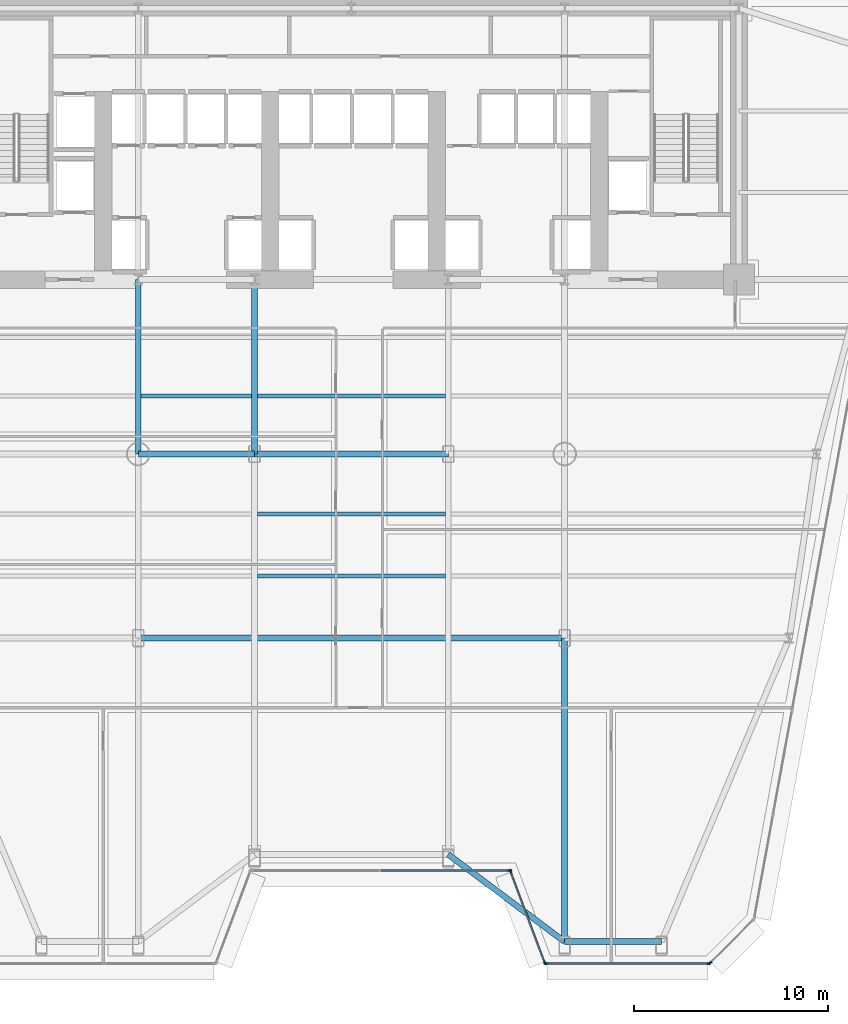
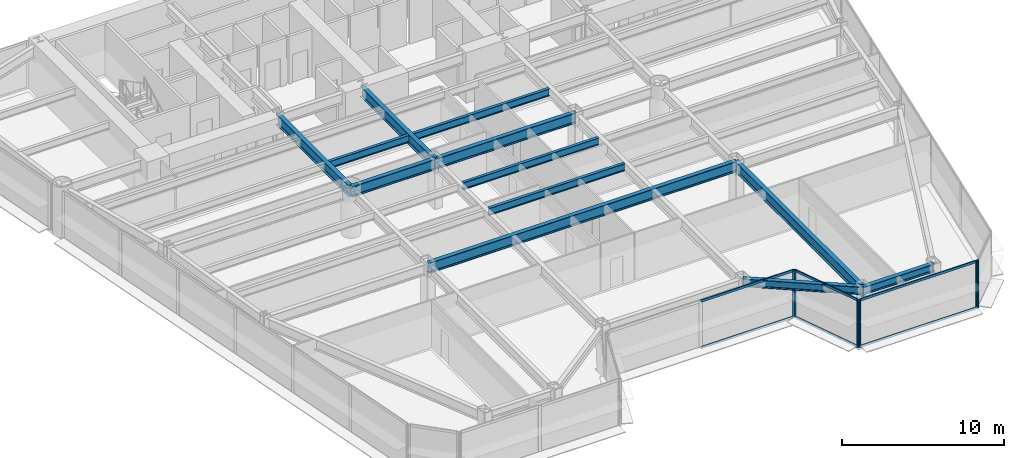
# One storey, part 3 of 14: 12 beams, 12 members, 4 elements without a shape of their own.
"""IFC4 building model written with IfcOpenShell, lengths in metres."""

from ifc_helpers import new_model, si_unit, direction, frame, origin, origin_2d, place, context, subcontext, project, spatial, rectangle, i_section, extrude, source, transform, mapped, material, layer, layer_set, material_profile, profile_set, type_object, element, aggregate, save


model = new_model("IFC4")

# Units and contexts
model_context = context("Model", 3, precision=1e-05, world=origin(), true_north=direction((0.0, 1.0)))
body_context = subcontext(model_context, "Body", "Model", "MODEL_VIEW")
ifc_project = project(units=[si_unit("LENGTHUNIT", "METRE"), si_unit("AREAUNIT", "SQUARE_METRE"), si_unit("VOLUMEUNIT", "CUBIC_METRE"), si_unit("PLANEANGLEUNIT", "RADIAN"), si_unit("MASSUNIT", "GRAM", prefix="KILO")], contexts=[model_context])

# Site, building, storey
site_placement = place(None, origin())
site = spatial("IfcSite", under=ifc_project, at=site_placement, CompositionType="ELEMENT")
building_placement = place(site_placement, origin())
building = spatial("IfcBuilding", under=site, at=building_placement, Name="Vaeldorn Concourse Tower", CompositionType="ELEMENT")
storey_placement = place(building_placement, frame((0.0, 0.0, 37.800048828125)))
storey = spatial("IfcBuildingStorey", under=building, at=storey_placement, Name="L09", CompositionType="ELEMENT", Elevation=37.800048828125)

# Beams
ifc_material_1 = material(Name="Steel S355", Category="steel")
ifc_material_profile_1 = material_profile(ifc_material_1, i_section(OverallWidth=0.300048828125, OverallDepth=0.800048828125, WebThickness=0.017578125, FlangeThickness=0.032958984375, FilletRadius=0.030029296875, at=origin_2d()), Name="HEB 800")
ifc_profile_set_1 = profile_set([ifc_material_profile_1], Name="Steel S355")
beam_type_1 = type_object("IfcBeamType", Name="BM-PG-HEB800", PredefinedType="BEAM", material=ifc_profile_set_1)
shared_shape_1 = source(origin(), body_context, "Body", "SweptSolid", [
    extrude(i_section(OverallWidth=0.300048828125, OverallDepth=0.800048828125, WebThickness=0.017578125, FlangeThickness=0.032958984375, FilletRadius=0.030029296875, at=origin_2d()), origin(), (0.0, 0.0, 1.0), 6.0),
])
beam_1_placement = place(storey_placement, frame((23.0, 27.5, 3.179931640625), z_axis=(1.0, 0.0, 0.0), x_axis=(0.0, 1.0, 0.0)))
element("IfcBeam", 1, at=beam_1_placement, inside=storey, type_object=beam_type_1, Name="Beam BM-L09-C-TW1-C-TW2", PredefinedType="BEAM", context=body_context, shape_type="MappedRepresentation", body=[
    mapped(shared_shape_1, transform((0.0, 0.0, 0.0), scale=1.0)),
])
shared_shape_2 = source(origin(), body_context, "Body", "SweptSolid", [
    extrude(i_section(OverallWidth=0.300048828125, OverallDepth=0.800048828125, WebThickness=0.017578125, FlangeThickness=0.032958984375, FilletRadius=0.030029296875, at=origin_2d()), origin(), (0.0, 0.0, 1.0), 10.0),
])
beam_2_placement = place(storey_placement, frame((29.0, 27.5, 3.179931640625), z_axis=(1.0, 0.0, 0.0), x_axis=(0.0, 1.0, 0.0)))
element("IfcBeam", 2, at=beam_2_placement, inside=storey, type_object=beam_type_1, Name="Beam BM-L09-C-TW2-C-TW3", PredefinedType="BEAM", context=body_context, shape_type="MappedRepresentation", body=[
    mapped(shared_shape_2, transform((0.0, 0.0, 0.0), scale=1.0)),
])
shared_shape_3 = source(origin(), body_context, "Body", "SweptSolid", [
    extrude(i_section(OverallWidth=0.300048828125, OverallDepth=0.800048828125, WebThickness=0.017578125, FlangeThickness=0.032958984375, FilletRadius=0.030029296875, at=origin_2d()), origin(), (0.0, 0.0, 1.0), 9.0),
])
for number, where, z_axis, x_axis, name in (
    (3, (23.0, 27.5, 3.179931640625), (0.0, 1.0, 0.0), (-1.0, 0.0, 0.0), "Beam BM-L09-C-TW1-C-FC2"),
    (4, (29.0, 27.5, 3.179931640625), (0.0, 1.0, 0.0), (-1.0, 0.0, 0.0), "Beam BM-L09-C-TW2-C-FC3"),
):
    element("IfcBeam", number, at=place(storey_placement, frame(where, z_axis=z_axis, x_axis=x_axis)), inside=storey, type_object=beam_type_1, Name=name, PredefinedType="BEAM", context=body_context, shape_type="MappedRepresentation", body=[
        mapped(shared_shape_3, transform((0.0, 0.0, 0.0), scale=1.0)),
    ])
ifc_material_profile_2 = material_profile(ifc_material_1, i_section(OverallWidth=0.300048828125, OverallDepth=0.60009765625, WebThickness=0.015380859375, FlangeThickness=0.030029296875, FilletRadius=0.027099609375, at=origin_2d()), Name="HEB 600")
ifc_profile_set_2 = profile_set([ifc_material_profile_2], Name="Steel S355")
beam_type_2 = type_object("IfcBeamType", Name="BM-SP-HEB600", PredefinedType="SPANDREL", material=ifc_profile_set_2)
shared_shape_4 = source(origin(), body_context, "Body", "SweptSolid", [
    extrude(i_section(OverallWidth=0.300048828125, OverallDepth=0.60009765625, WebThickness=0.015380859375, FlangeThickness=0.030029296875, FilletRadius=0.027099609375, at=origin_2d()), origin(), (0.0, 0.0, 1.0), 5.0),
])
beam_3_placement = place(storey_placement, frame((45.0, 2.33447265625, 3.280029296875), z_axis=(1.0, 0.0, 0.0), x_axis=(0.0, 1.0, 0.0)))
element("IfcBeam", 5, at=beam_3_placement, inside=storey, type_object=beam_type_2, Name="Beam BM-L09-C-SF5-C-SF6", PredefinedType="SPANDREL", context=body_context, shape_type="MappedRepresentation", body=[
    mapped(shared_shape_4, transform((0.0, 0.0, 0.0), scale=1.0)),
])
shared_shape_5 = source(origin(), body_context, "Body", "SweptSolid", [
    extrude(i_section(OverallWidth=0.300048828125, OverallDepth=0.60009765625, WebThickness=0.015380859375, FlangeThickness=0.030029296875, FilletRadius=0.027099609375, at=origin_2d()), origin(), (0.0, 0.0, 1.0), 7.5),
])
beam_4_placement = place(storey_placement, frame((39.0, 6.83447265625, 3.280029296875), z_axis=(0.8, -0.6, 0.0), x_axis=(0.6, 0.8, 0.0)))
element("IfcBeam", 6, at=beam_4_placement, inside=storey, type_object=beam_type_2, Name="Beam BM-L09-C-SF4-C-SF5", PredefinedType="SPANDREL", context=body_context, shape_type="MappedRepresentation", body=[
    mapped(shared_shape_5, transform((0.0, 0.0, 0.0), scale=1.0)),
])
shared_shape_6 = source(origin(), body_context, "Body", "SweptSolid", [
    extrude(i_section(OverallWidth=0.300048828125, OverallDepth=0.800048828125, WebThickness=0.017578125, FlangeThickness=0.032958984375, FilletRadius=0.030029296875, at=origin_2d()), origin(), (0.0, 0.0, 1.0), 22.0),
])
beam_5_placement = place(storey_placement, frame((23.0, 18.0, 3.179931640625), z_axis=(1.0, 0.0, 0.0), x_axis=(0.0, 1.0, 0.0)))
element("IfcBeam", 7, at=beam_5_placement, inside=storey, type_object=beam_type_1, Name="Beam BM-L09-C-TW5-C-TW6", PredefinedType="BEAM", context=body_context, shape_type="MappedRepresentation", body=[
    mapped(shared_shape_6, transform((0.0, 0.0, 0.0), scale=1.0)),
])
ifc_material_profile_3 = material_profile(ifc_material_1, i_section(OverallWidth=0.2099609375, OverallDepth=0.550048828125, WebThickness=0.010986328125, FlangeThickness=0.01708984375, FilletRadius=0.02392578125, at=origin_2d()), Name="IPE 550")
ifc_profile_set_3 = profile_set([ifc_material_profile_3], Name="Steel S355")
beam_type_3 = type_object("IfcBeamType", Name="BM-JS-IPE550", PredefinedType="JOIST", material=ifc_profile_set_3)
shared_shape_7 = source(origin(), body_context, "Body", "SweptSolid", [
    extrude(i_section(OverallWidth=0.2099609375, OverallDepth=0.550048828125, WebThickness=0.010986328125, FlangeThickness=0.01708984375, FilletRadius=0.02392578125, at=origin_2d()), origin(), (0.0, 0.0, 1.0), 5.7001953125),
])
beam_6_placement = place(storey_placement, frame((23.14990234375, 30.5, 3.304931640625), z_axis=(1.0, 0.0, 0.0), x_axis=(0.0, 1.0, 0.0)))
element("IfcBeam", 8, at=beam_6_placement, inside=storey, type_object=beam_type_3, Name="Beam JS-L09-W2-305", PredefinedType="JOIST", context=body_context, shape_type="MappedRepresentation", body=[
    mapped(shared_shape_7, transform((0.0, 0.0, 0.0), scale=1.0)),
])
shared_shape_8 = source(origin(), body_context, "Body", "SweptSolid", [
    extrude(i_section(OverallWidth=0.2099609375, OverallDepth=0.550048828125, WebThickness=0.010986328125, FlangeThickness=0.01708984375, FilletRadius=0.02392578125, at=origin_2d()), origin(), (0.0, 0.0, 1.0), 9.7001953125),
])
for number, where, z_axis, x_axis, name in (
    (9, (29.14990234375, 21.199951171875, 3.304931640625), (1.0, 0.0, 0.0), (0.0, 1.0, 0.0), "Beam JS-L09-C-212"),
    (10, (29.14990234375, 24.39990234375, 3.304931640625), (1.0, 0.0, 0.0), (0.0, 1.0, 0.0), "Beam JS-L09-C-244"),
    (11, (29.14990234375, 30.5, 3.304931640625), (1.0, 0.0, 0.0), (0.0, 1.0, 0.0), "Beam JS-L09-C-305"),
):
    element("IfcBeam", number, at=place(storey_placement, frame(where, z_axis=z_axis, x_axis=x_axis)), inside=storey, type_object=beam_type_3, Name=name, PredefinedType="JOIST", context=body_context, shape_type="MappedRepresentation", body=[
        mapped(shared_shape_8, transform((0.0, 0.0, 0.0), scale=1.0)),
    ])
shared_shape_9 = source(origin(), body_context, "Body", "SweptSolid", [
    extrude(i_section(OverallWidth=0.300048828125, OverallDepth=0.800048828125, WebThickness=0.017578125, FlangeThickness=0.032958984375, FilletRadius=0.030029296875, at=origin_2d()), origin(), (0.0, 0.0, 1.0), 15.66552734375),
])
beam_7_placement = place(storey_placement, frame((45.0, 2.33447265625, 3.179931640625), z_axis=(0.0, 1.0, 0.0), x_axis=(-1.0, 0.0, 0.0)))
element("IfcBeam", 12, at=beam_7_placement, inside=storey, type_object=beam_type_1, Name="Beam BM-L09-C-SF5-C-TW6", PredefinedType="BEAM", context=body_context, shape_type="MappedRepresentation", body=[
    mapped(shared_shape_9, transform((0.0, 0.0, 0.0), scale=1.0)),
])

# Curtain wall, member
ifc_material_2 = material(Name="Anodised Bronze Aluminium", Category="aluminium")
ifc_layer = layer(ifc_material_2, 0.219970703125)
ifc_layer_set = layer_set([ifc_layer], Name="Anodised Bronze Aluminium")
curtain_wall_type = type_object("IfcCurtainWallType", Name="CW-SYS-01", PredefinedType="NOTDEFINED", material=ifc_layer_set)
curtain_wall_1_placement = place(storey_placement, origin())
curtain_wall_1 = element("IfcCurtainWall", 13, at=curtain_wall_1_placement, inside=storey, type_object=curtain_wall_type, Name="Unitised Curtain Wall CW-L09-E03-1", PredefinedType="NOTDEFINED")
ifc_material_profile_4 = material_profile(ifc_material_2, rectangle(XDim=0.074951171875, YDim=0.219970703125, at=origin_2d()), Name="CWM 75x220")
ifc_profile_set_4 = profile_set([ifc_material_profile_4], Name="Anodised Bronze Aluminium")
member_type_1 = type_object("IfcMemberType", Name="CWM-BRONZE-220", PredefinedType="MULLION", material=ifc_profile_set_4)
shared_shape_10 = source(origin(), body_context, "Body", "SweptSolid", [
    extrude(rectangle(XDim=0.074951171875, YDim=0.219970703125, at=origin_2d()), origin(), (0.0, 0.0, 1.0), 3.579833984375),
])
member_1_placement = place(storey_placement, frame((42.16259765625, 5.995361328125, 0.0), z_axis=(0.0, 0.0, 1.0), x_axis=(0.0, 1.0, 0.0)))
member_1 = element("IfcMember", 14, at=member_1_placement, type_object=member_type_1, Name="CW-01 mullion 3", PredefinedType="MULLION", context=body_context, shape_type="MappedRepresentation", body=[
    mapped(shared_shape_10, transform((0.0, 0.0, 0.0), scale=1.0)),
])

# Curtain wall, members
curtain_wall_2_placement = place(storey_placement, origin())
curtain_wall_2 = element("IfcCurtainWall", 15, at=curtain_wall_2_placement, inside=storey, type_object=curtain_wall_type, Name="Unitised Curtain Wall CW-L09-E04-1", PredefinedType="NOTDEFINED")
member_2_placement = place(storey_placement, frame((42.213134765625, 5.960205078125, 0.0), z_axis=(0.0, 0.0, 1.0), x_axis=(0.936329177566, 0.351123441595, 0.0)))
member_2 = element("IfcMember", 16, at=member_2_placement, type_object=member_type_1, Name="CW-01 mullion 1", PredefinedType="MULLION", context=body_context, shape_type="MappedRepresentation", body=[
    mapped(shared_shape_10, transform((0.0, 0.0, 0.0), scale=1.0)),
])
member_3_placement = place(storey_placement, frame((43.98681640625, 1.23046875, 0.0), z_axis=(0.0, 0.0, 1.0), x_axis=(0.936329177566, 0.351123441595, 0.0)))
member_3 = element("IfcMember", 17, at=member_3_placement, type_object=member_type_1, Name="CW-01 mullion 2", PredefinedType="MULLION", context=body_context, shape_type="MappedRepresentation", body=[
    mapped(shared_shape_10, transform((0.0, 0.0, 0.0), scale=1.0)),
])

curtain_wall_3_placement = place(storey_placement, origin())
curtain_wall_3 = element("IfcCurtainWall", 18, at=curtain_wall_3_placement, inside=storey, type_object=curtain_wall_type, Name="Unitised Curtain Wall CW-L09-E05-1", PredefinedType="NOTDEFINED")
member_4_placement = place(storey_placement, frame((44.03759765625, 1.1953125, 0.0), z_axis=(0.0, 0.0, 1.0), x_axis=(0.0, 1.0, 0.0)))
member_4 = element("IfcMember", 19, at=member_4_placement, type_object=member_type_1, Name="CW-01 mullion 1", PredefinedType="MULLION", context=body_context, shape_type="MappedRepresentation", body=[
    mapped(shared_shape_10, transform((0.0, 0.0, 0.0), scale=1.0)),
])
member_5_placement = place(storey_placement, frame((52.444580078125, 1.1953125, 0.0), z_axis=(0.0, 0.0, 1.0), x_axis=(0.0, 1.0, 0.0)))
member_5 = element("IfcMember", 20, at=member_5_placement, type_object=member_type_1, Name="CW-01 mullion 2", PredefinedType="MULLION", context=body_context, shape_type="MappedRepresentation", body=[
    mapped(shared_shape_10, transform((0.0, 0.0, 0.0), scale=1.0)),
])

# Curtain wall, member
curtain_wall_4_placement = place(storey_placement, origin())
curtain_wall_4 = element("IfcCurtainWall", 21, at=curtain_wall_4_placement, inside=storey, type_object=curtain_wall_type, Name="Unitised Curtain Wall CW-L09-E06-1", PredefinedType="NOTDEFINED")
member_6_placement = place(storey_placement, frame((52.5087890625, 1.221923828125, 0.0), z_axis=(0.0, 0.0, 1.0), x_axis=(-0.707106781187, 0.707106781187, 0.0)))
member_6 = element("IfcMember", 22, at=member_6_placement, type_object=member_type_1, Name="CW-01 mullion 1", PredefinedType="MULLION", context=body_context, shape_type="MappedRepresentation", body=[
    mapped(shared_shape_10, transform((0.0, 0.0, 0.0), scale=1.0)),
])
aggregate(curtain_wall_4, [member_6])

# Member
ifc_material_profile_5 = material_profile(ifc_material_2, rectangle(XDim=0.074951171875, YDim=0.179931640625, at=origin_2d()), Name="CWT 75x180")
ifc_profile_set_5 = profile_set([ifc_material_profile_5], Name="Anodised Bronze Aluminium")
member_type_2 = type_object("IfcMemberType", Name="CWT-BRONZE-180", PredefinedType="USERDEFINED", material=ifc_profile_set_5)
shared_shape_11 = source(origin(), body_context, "Body", "SweptSolid", [
    extrude(rectangle(XDim=0.074951171875, YDim=0.179931640625, at=origin_2d()), origin(), (0.0, 0.0, 1.0), 6.58740234375),
])
member_7_placement = place(storey_placement, frame((35.53759765625, 5.995361328125, 0.037353515625), z_axis=(1.0, 0.0, 0.0), x_axis=(0.0, 1.0, 0.0)))
member_7 = element("IfcMember", 23, at=member_7_placement, type_object=member_type_2, Name="CW-01 transom 2.1", ObjectType="TRANSOM", PredefinedType="USERDEFINED", context=body_context, shape_type="MappedRepresentation", body=[
    mapped(shared_shape_11, transform((0.0, 0.0, 0.0), scale=1.0)),
])

member_8_placement = place(storey_placement, frame((35.53759765625, 5.995361328125, 3.54248046875), z_axis=(1.0, 0.0, 0.0), x_axis=(0.0, 1.0, 0.0)))
member_8 = element("IfcMember", 24, at=member_8_placement, type_object=member_type_2, Name="CW-01 transom 2.2", ObjectType="TRANSOM", PredefinedType="USERDEFINED", context=body_context, shape_type="MappedRepresentation", body=[
    mapped(shared_shape_11, transform((0.0, 0.0, 0.0), scale=1.0)),
])

aggregate(curtain_wall_1, [member_1, member_7, member_8])

shared_shape_12 = source(origin(), body_context, "Body", "SweptSolid", [
    extrude(rectangle(XDim=0.074951171875, YDim=0.179931640625, at=origin_2d()), origin(), (0.0, 0.0, 1.0), 4.9765625),
])
member_9_placement = place(storey_placement, frame((42.226318359375, 5.92529296875, 0.037353515625), z_axis=(0.351112688987, -0.936333209724, 0.0), x_axis=(0.936333209724, 0.351112688987, 0.0)))
member_9 = element("IfcMember", 25, at=member_9_placement, type_object=member_type_2, Name="CW-01 transom 1.1", ObjectType="TRANSOM", PredefinedType="USERDEFINED", context=body_context, shape_type="MappedRepresentation", body=[
    mapped(shared_shape_12, transform((0.0, 0.0, 0.0), scale=1.0)),
])

member_10_placement = place(storey_placement, frame((42.226318359375, 5.92529296875, 3.54248046875), z_axis=(0.351112688987, -0.936333209724, 0.0), x_axis=(0.936333209724, 0.351112688987, 0.0)))
member_10 = element("IfcMember", 26, at=member_10_placement, type_object=member_type_2, Name="CW-01 transom 1.2", ObjectType="TRANSOM", PredefinedType="USERDEFINED", context=body_context, shape_type="MappedRepresentation", body=[
    mapped(shared_shape_12, transform((0.0, 0.0, 0.0), scale=1.0)),
])

aggregate(curtain_wall_2, [member_2, member_3, member_9, member_10])

shared_shape_13 = source(origin(), body_context, "Body", "SweptSolid", [
    extrude(rectangle(XDim=0.074951171875, YDim=0.179931640625, at=origin_2d()), origin(), (0.0, 0.0, 1.0), 8.332275390625),
])
member_11_placement = place(storey_placement, frame((44.074951171875, 1.1953125, 0.037353515625), z_axis=(1.0, 0.0, 0.0), x_axis=(0.0, 1.0, 0.0)))
member_11 = element("IfcMember", 27, at=member_11_placement, type_object=member_type_2, Name="CW-01 transom 1.1", ObjectType="TRANSOM", PredefinedType="USERDEFINED", context=body_context, shape_type="MappedRepresentation", body=[
    mapped(shared_shape_13, transform((0.0, 0.0, 0.0), scale=1.0)),
])

member_12_placement = place(storey_placement, frame((44.074951171875, 1.1953125, 3.54248046875), z_axis=(1.0, 0.0, 0.0), x_axis=(0.0, 1.0, 0.0)))
member_12 = element("IfcMember", 28, at=member_12_placement, type_object=member_type_2, Name="CW-01 transom 1.2", ObjectType="TRANSOM", PredefinedType="USERDEFINED", context=body_context, shape_type="MappedRepresentation", body=[
    mapped(shared_shape_13, transform((0.0, 0.0, 0.0), scale=1.0)),
])

aggregate(curtain_wall_3, [member_4, member_5, member_11, member_12])

save(model, "model.ifc")
